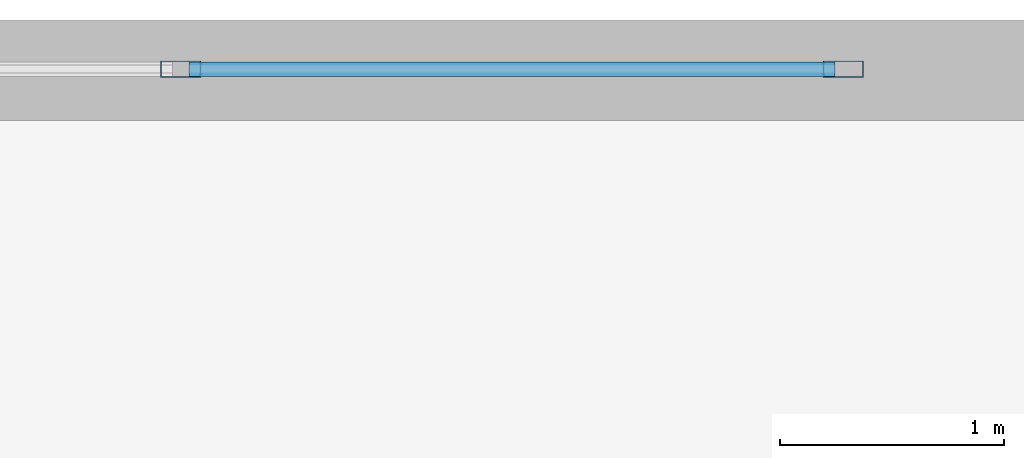
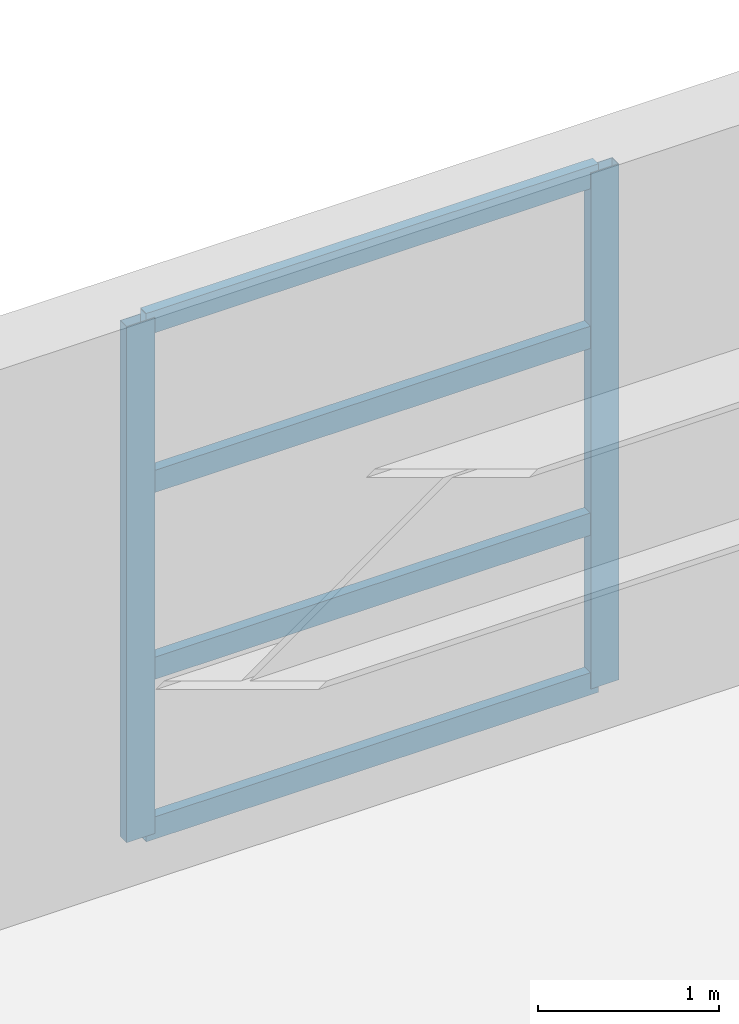
# One storey, part 11 of 25: 6 members, 1 element without a shape of its own.
"""IFC4 building model written with IfcOpenShell, lengths in metres."""

from ifc_helpers import new_model, si_unit, direction, frame, origin, origin_2d, place, context, subcontext, project, spatial, hollow_rectangle, extrude, material, layer, layer_set, material_profile, profile_set, type_object, element, aggregate, save


model = new_model("IFC4")

# Units and contexts
model_context = context("Model", 3, precision=1e-05, world=origin(), true_north=direction((0.0, 1.0)))
body_context = subcontext(model_context, "Body", "Model", "MODEL_VIEW")
ifc_project = project(units=[si_unit("LENGTHUNIT", "METRE"), si_unit("AREAUNIT", "SQUARE_METRE"), si_unit("VOLUMEUNIT", "CUBIC_METRE"), si_unit("PLANEANGLEUNIT", "RADIAN"), si_unit("MASSUNIT", "GRAM", prefix="KILO")], contexts=[model_context])

# Site, building, storey
site_placement = place(None, origin())
site = spatial("IfcSite", under=ifc_project, at=site_placement, CompositionType="ELEMENT")
building_placement = place(site_placement, origin())
building = spatial("IfcBuilding", under=site, at=building_placement, Name="Qiaolan Cultural Towers", CompositionType="ELEMENT")
storey_placement = place(building_placement, frame((0.0, 0.0, 22.0)))
storey = spatial("IfcBuildingStorey", under=building, at=storey_placement, Name="L04", CompositionType="ELEMENT", Elevation=22.0)

# Curtain wall, members
ifc_material_1 = material(Name="Unitized Anodized Aluminium Curtain Wall System", Category="aluminium")
ifc_layer = layer(ifc_material_1, 0.199951171875)
ifc_layer_set = layer_set([ifc_layer], Name="Unitized Anodized Aluminium Curtain Wall System")
curtain_wall_type = type_object("IfcCurtainWallType", Name="CWS-01", PredefinedType="NOTDEFINED", material=ifc_layer_set)
curtain_wall_placement = place(storey_placement, origin())
curtain_wall = element("IfcCurtainWall", 1, at=curtain_wall_placement, inside=storey, type_object=curtain_wall_type, Name="L04 North Atrium Curtain Wall", PredefinedType="NOTDEFINED")
ifc_material_2 = material(Name="Extruded Aluminium 6063-T6", Category="aluminium")
ifc_material_profile_1 = material_profile(ifc_material_2, hollow_rectangle(XDim=0.074951171875, YDim=0.179931640625, WallThickness=0.00390625, at=origin_2d()), Name="CWM-180x75x4")
ifc_profile_set_1 = profile_set([ifc_material_profile_1], Name="Extruded Aluminium 6063-T6")
member_type_1 = type_object("IfcMemberType", Name="CWS-01-MUL", PredefinedType="MULLION", material=ifc_profile_set_1)
member_1_placement = place(storey_placement, frame((59.0, 67.780029296875, 0.14990234375), z_axis=(0.0, 0.0, 1.0), x_axis=(0.0, 1.0, 0.0)))
member_1 = element("IfcMember", 2, at=member_1_placement, type_object=member_type_1, Name="CW-1 mullion 4", PredefinedType="MULLION", context=body_context, shape_type="SweptSolid", body=[
    extrude(hollow_rectangle(XDim=0.074951171875, YDim=0.179931640625, WallThickness=0.00390625, at=origin_2d()), origin(), (0.0, 0.0, 1.0), 3.47998046875),
])
member_2_placement = place(storey_placement, frame((61.96240234375, 67.780029296875, 0.14990234375), z_axis=(0.0, 0.0, 1.0), x_axis=(0.0, 1.0, 0.0)))
member_2 = element("IfcMember", 3, at=member_2_placement, type_object=member_type_1, Name="CW-1 mullion 5", PredefinedType="MULLION", context=body_context, shape_type="SweptSolid", body=[
    extrude(hollow_rectangle(XDim=0.074951171875, YDim=0.179931640625, WallThickness=0.00390625, at=origin_2d()), origin(), (0.0, 0.0, 1.0), 3.47998046875),
])
ifc_material_3 = material(Name="Extruded Aluminium 6063-T6", Category="aluminium")
ifc_material_profile_2 = material_profile(ifc_material_3, hollow_rectangle(XDim=0.06494140625, YDim=0.14990234375, WallThickness=0.00390625, at=origin_2d()), Name="CWT-150x65x4")
ifc_profile_set_2 = profile_set([ifc_material_profile_2], Name="Extruded Aluminium 6063-T6")
member_type_2 = type_object("IfcMemberType", Name="CWS-01-TRN", PredefinedType="USERDEFINED", material=ifc_profile_set_2)
member_3_placement = place(storey_placement, frame((59.03759765625, 67.780029296875, 0.1826171875), z_axis=(1.0, 0.0, 0.0), x_axis=(0.0, 1.0, 0.0)))
member_3 = element("IfcMember", 4, at=member_3_placement, type_object=member_type_2, Name="CW-1 transom 4.1", ObjectType="TRANSOM", PredefinedType="USERDEFINED", context=body_context, shape_type="SweptSolid", body=[
    extrude(hollow_rectangle(XDim=0.06494140625, YDim=0.14990234375, WallThickness=0.00390625, at=origin_2d()), origin(), (0.0, 0.0, 1.0), 2.887451171875),
])
member_4_placement = place(storey_placement, frame((59.03759765625, 67.780029296875, 1.260009765625), z_axis=(1.0, 0.0, 0.0), x_axis=(0.0, 1.0, 0.0)))
member_4 = element("IfcMember", 5, at=member_4_placement, type_object=member_type_2, Name="CW-1 transom 4.2", ObjectType="TRANSOM", PredefinedType="USERDEFINED", context=body_context, shape_type="SweptSolid", body=[
    extrude(hollow_rectangle(XDim=0.06494140625, YDim=0.14990234375, WallThickness=0.00390625, at=origin_2d()), origin(), (0.0, 0.0, 1.0), 2.887451171875),
])
member_5_placement = place(storey_placement, frame((59.03759765625, 67.780029296875, 2.52001953125), z_axis=(1.0, 0.0, 0.0), x_axis=(0.0, 1.0, 0.0)))
member_5 = element("IfcMember", 6, at=member_5_placement, type_object=member_type_2, Name="CW-1 transom 4.3", ObjectType="TRANSOM", PredefinedType="USERDEFINED", context=body_context, shape_type="SweptSolid", body=[
    extrude(hollow_rectangle(XDim=0.06494140625, YDim=0.14990234375, WallThickness=0.00390625, at=origin_2d()), origin(), (0.0, 0.0, 1.0), 2.887451171875),
])
member_6_placement = place(storey_placement, frame((59.03759765625, 67.780029296875, 3.597412109375), z_axis=(1.0, 0.0, 0.0), x_axis=(0.0, 1.0, 0.0)))
member_6 = element("IfcMember", 7, at=member_6_placement, type_object=member_type_2, Name="CW-1 transom 4.4", ObjectType="TRANSOM", PredefinedType="USERDEFINED", context=body_context, shape_type="SweptSolid", body=[
    extrude(hollow_rectangle(XDim=0.06494140625, YDim=0.14990234375, WallThickness=0.00390625, at=origin_2d()), origin(), (0.0, 0.0, 1.0), 2.887451171875),
])
aggregate(curtain_wall, [member_1, member_2, member_3, member_4, member_5, member_6])

save(model, "model.ifc")
